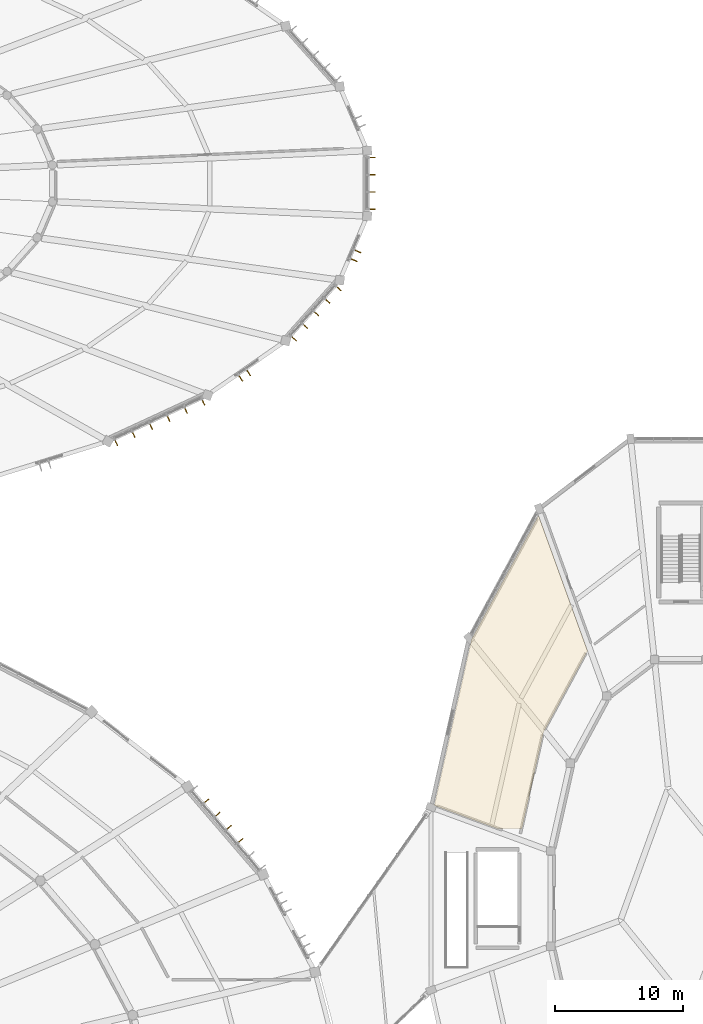
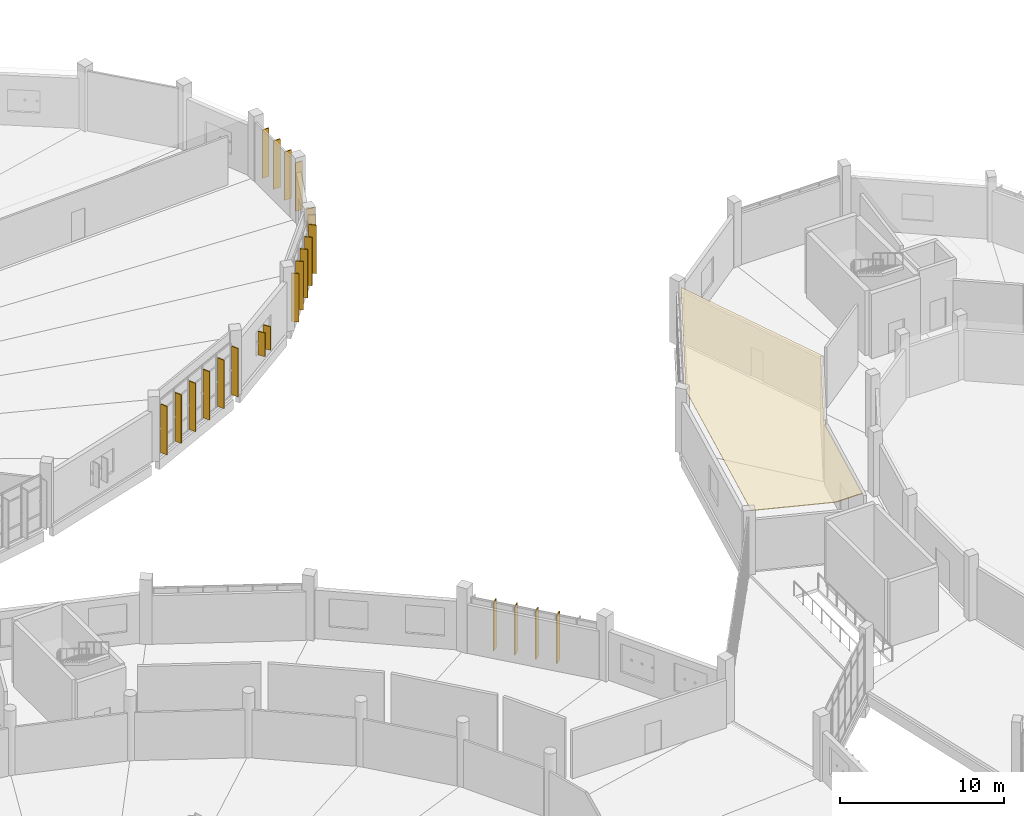
# One storey, part 172 of 179: 23 shading devices, 1 covering.
"""IFC4 building model written with IfcOpenShell, lengths in metres."""

from ifc_helpers import new_model, si_unit, direction, frame, origin, origin_2d, place, context, subcontext, project, spatial, polyline, rectangle, outline, extrude, material, layer, layer_set, type_object, element, save


model = new_model("IFC4")

# Units and contexts
model_context = context("Model", 3, precision=1e-05, world=origin(), true_north=direction((0.0, 1.0)))
body_context = subcontext(model_context, "Body", "Model", "MODEL_VIEW")
ifc_project = project(units=[si_unit("LENGTHUNIT", "METRE"), si_unit("AREAUNIT", "SQUARE_METRE"), si_unit("VOLUMEUNIT", "CUBIC_METRE"), si_unit("PLANEANGLEUNIT", "RADIAN"), si_unit("MASSUNIT", "GRAM", prefix="KILO")], contexts=[model_context])

# Site, building, storey
site_placement = place(None, origin())
site = spatial("IfcSite", under=ifc_project, at=site_placement, CompositionType="ELEMENT")
building_placement = place(site_placement, origin())
building = spatial("IfcBuilding", under=site, at=building_placement, Name="Corvandel Quay Wholesale Market", CompositionType="ELEMENT")
storey_placement = place(building_placement, frame((0.0, 0.0, 6.0)))
storey = spatial("IfcBuildingStorey", under=building, at=storey_placement, Name="L01", CompositionType="ELEMENT", Elevation=6.0)

# Covering
ifc_material_1 = material(Name="Perforated powder-coated aluminium acoustic panel", Category="aluminium")
ifc_layer = layer(ifc_material_1, 0.044921875)
ifc_layer_set = layer_set([ifc_layer], Name="Perforated powder-coated aluminium acoustic panel")
covering_type = type_object("IfcCoveringType", Name="Perforated Acoustic Baffle Ceiling CLG01", PredefinedType="CEILING", material=ifc_layer_set)
covering_placement = place(storey_placement, frame((0.0, 0.0, 4.389892578125)))
element("IfcCovering", 1, at=covering_placement, inside=storey, type_object=covering_type, Name="Suspended Ceiling CLG-018", PredefinedType="CEILING", context=body_context, shape_type="SweptSolid", body=[
    extrude(outline(polyline([(175.27099609375, 67.2958984375), (175.27001953125, 67.297119140625), (175.26806640625, 67.298095703125), (175.26708984375, 67.299072265625), (175.264892578125, 67.301025390625), (175.263916015625, 67.302001953125), (175.262939453125, 67.303955078125), (175.261962890625, 67.304931640625), (175.260986328125, 67.306884765625), (175.260986328125, 67.30908203125), (175.260009765625, 67.31103515625), (175.260009765625, 67.31298828125), (175.260009765625, 67.31494140625), (175.260009765625, 67.31591796875), (175.260009765625, 67.318115234375), (178.176025390625, 80.31103515625), (178.177001953125, 80.31298828125), (178.177978515625, 80.31494140625), (178.177978515625, 80.31689453125), (183.39208984375, 89.944091796875), (183.39306640625, 89.945068359375), (183.39501953125, 89.947021484375), (183.39599609375, 89.947998046875), (183.39794921875, 89.949951171875), (183.39892578125, 89.950927734375), (183.40087890625, 89.951904296875), (183.403076171875, 89.952880859375), (183.405029296875, 89.952880859375), (183.406982421875, 89.9541015625), (183.407958984375, 89.9541015625), (183.409912109375, 89.9541015625), (183.412109375, 89.9541015625), (183.4140625, 89.952880859375), (183.416015625, 89.952880859375), (183.41796875, 89.951904296875), (183.419921875, 89.950927734375), (183.422119140625, 89.949951171875), (183.423095703125, 89.948974609375), (183.425048828125, 89.947998046875), (183.426025390625, 89.946044921875), (183.427001953125, 89.944091796875), (183.427978515625, 89.943115234375), (183.428955078125, 89.94091796875), (187.239990234375, 79.412109375), (187.239990234375, 79.409912109375), (187.240966796875, 79.407958984375), (187.240966796875, 79.406005859375), (187.240966796875, 79.404052734375), (187.240966796875, 79.403076171875), (187.240966796875, 79.40087890625), (187.239990234375, 79.39892578125), (187.239013671875, 79.39697265625), (187.239013671875, 79.39501953125), (183.791015625, 73.02294921875), (182.093994140625, 65.467041015625), (181.926025390625, 65.490966796875), (181.75, 65.5), (180.162109375, 65.5), (175.27294921875, 67.294921875), (175.27099609375, 67.2958984375)])), origin(), (0.0, 0.0, 1.0), 0.045166015625),
])

# Shading devices
ifc_material_2 = material(Name="Bronze anodised extruded aluminium 6063-T6", Category="aluminium")
shading_device_type = type_object("IfcShadingDeviceType", Name="Vertical Anodised Bronze Solar Fin FN01 480mm", PredefinedType="JALOUSIE", material=ifc_material_2)
for number, where, z_axis, x_axis, name in (
    (2, (160.074951171875, 64.54833984375, 0.175048828125), (0.0, 0.0, 1.0), (0.758589401976, 0.651568967347, 0.0), "Solar Fin 0021"),
    (3, (159.187744140625, 65.5810546875, 0.175048828125), (0.0, 0.0, 1.0), (0.758589401976, 0.651568967347, 0.0), "Solar Fin 0022"),
    (4, (158.30078125, 66.61376953125, 0.175048828125), (0.0, 0.0, 1.0), (0.758589401976, 0.651568967347, 0.0), "Solar Fin 0023"),
    (5, (157.41357421875, 67.646484375, 0.175048828125), (0.0, 0.0, 1.0), (0.758589401976, 0.651568967347, 0.0), "Solar Fin 0024"),
    (6, (150.347900390625, 95.686767578125, 0.175048828125), (0.0, 0.0, 1.0), (-0.421194115999, 0.906970515865, 0.0), "Solar Fin 0405"),
    (7, (151.7119140625, 96.3203125, 0.175048828125), (0.0, 0.0, 1.0), (-0.421194115999, 0.906970515865, 0.0), "Solar Fin 0406"),
    (8, (153.075927734375, 96.95361328125, 0.175048828125), (0.0, 0.0, 1.0), (-0.421194115999, 0.906970515865, 0.0), "Solar Fin 0407"),
    (9, (154.440185546875, 97.587158203125, 0.175048828125), (0.0, 0.0, 1.0), (-0.421194115999, 0.906970515865, 0.0), "Solar Fin 0408"),
    (10, (155.80419921875, 98.220458984375, 0.175048828125), (0.0, 0.0, 1.0), (-0.421194115999, 0.906970515865, 0.0), "Solar Fin 0409"),
    (11, (157.168212890625, 98.85400390625, 0.175048828125), (0.0, 0.0, 1.0), (-0.421194115999, 0.906970515865, 0.0), "Solar Fin 0410"),
):
    element("IfcShadingDevice", number, at=place(storey_placement, frame(where, z_axis=z_axis, x_axis=x_axis)), inside=storey, type_object=shading_device_type, Name=name, PredefinedType="JALOUSIE", context=body_context, shape_type="SweptSolid", body=[
        extrude(rectangle(XDim=0.47998046875, YDim=0.06494140625, at=origin_2d()), origin(), (0.0, 0.0, 1.0), 3.60009765625),
    ])
for number, where, z_axis, x_axis, name in (
    (12, (160.114990234375, 100.70849609375, 1.0), (0.0, 0.0, 1.0), (-0.570570241419, 0.821248804935, 0.0), "Solar Fin 0416"),
    (13, (160.73095703125, 101.13623046875, 1.0), (0.0, 0.0, 1.0), (-0.570570241419, 0.821248804935, 0.0), "Solar Fin 0417"),
):
    element("IfcShadingDevice", number, at=place(storey_placement, frame(where, z_axis=z_axis, x_axis=x_axis)), inside=storey, type_object=shading_device_type, Name=name, PredefinedType="JALOUSIE", context=body_context, shape_type="SweptSolid", body=[
        extrude(rectangle(XDim=0.47998046875, YDim=0.06494140625, at=origin_2d()), origin(), (0.0, 0.0, 1.0), 1.75),
    ])
for number, where, z_axis, x_axis, name in (
    (14, (164.27001953125, 103.833984375, 0.175048828125), (0.0, 0.0, 1.0), (-0.746289766155, 0.665621202286, 0.0), "Solar Fin 0421"),
    (15, (165.1455078125, 104.8154296875, 0.175048828125), (0.0, 0.0, 1.0), (-0.746289766155, 0.665621202286, 0.0), "Solar Fin 0422"),
    (16, (166.02099609375, 105.797119140625, 0.175048828125), (0.0, 0.0, 1.0), (-0.746289766155, 0.665621202286, 0.0), "Solar Fin 0423"),
    (17, (166.896484375, 106.778564453125, 0.175048828125), (0.0, 0.0, 1.0), (-0.746289766155, 0.665621202286, 0.0), "Solar Fin 0424"),
    (18, (167.772216796875, 107.760009765625, 0.175048828125), (0.0, 0.0, 1.0), (-0.746289766155, 0.665621202286, 0.0), "Solar Fin 0425"),
):
    element("IfcShadingDevice", number, at=place(storey_placement, frame(where, z_axis=z_axis, x_axis=x_axis)), inside=storey, type_object=shading_device_type, Name=name, PredefinedType="JALOUSIE", context=body_context, shape_type="SweptSolid", body=[
        extrude(rectangle(XDim=0.47998046875, YDim=0.06494140625, at=origin_2d()), origin(), (0.0, 0.0, 1.0), 3.60009765625),
    ])
for number, where, z_axis, x_axis, name in (
    (19, (168.99365234375, 109.97265625, 1.0), (0.0, 0.0, 1.0), (-0.919204081089, 0.393781484212, 0.0), "Solar Fin 0430"),
    (20, (169.288818359375, 110.662109375, 1.0), (0.0, 0.0, 1.0), (-0.919204081089, 0.393781484212, 0.0), "Solar Fin 0431"),
):
    element("IfcShadingDevice", number, at=place(storey_placement, frame(where, z_axis=z_axis, x_axis=x_axis)), inside=storey, type_object=shading_device_type, Name=name, PredefinedType="JALOUSIE", context=body_context, shape_type="SweptSolid", body=[
        extrude(rectangle(XDim=0.47998046875, YDim=0.06494140625, at=origin_2d()), origin(), (0.0, 0.0, 1.0), 1.75),
    ])
for number, where, z_axis, x_axis, name in (
    (21, (170.3798828125, 113.97900390625, 0.175048828125), (0.0, 0.0, 1.0), (1.0, 0.0, 0.0), "Solar Fin 0436"),
    (22, (170.3798828125, 115.326416015625, 0.175048828125), (0.0, 0.0, 1.0), (1.0, 0.0, 0.0), "Solar Fin 0437"),
    (23, (170.3798828125, 116.673583984375, 0.175048828125), (0.0, 0.0, 1.0), (1.0, 0.0, 0.0), "Solar Fin 0438"),
    (24, (170.3798828125, 118.02099609375, 0.175048828125), (0.0, 0.0, 1.0), (1.0, 0.0, 0.0), "Solar Fin 0439"),
):
    element("IfcShadingDevice", number, at=place(storey_placement, frame(where, z_axis=z_axis, x_axis=x_axis)), inside=storey, type_object=shading_device_type, Name=name, PredefinedType="JALOUSIE", context=body_context, shape_type="SweptSolid", body=[
        extrude(rectangle(XDim=0.47998046875, YDim=0.06494140625, at=origin_2d()), origin(), (0.0, 0.0, 1.0), 3.60009765625),
    ])

save(model, "model.ifc")
